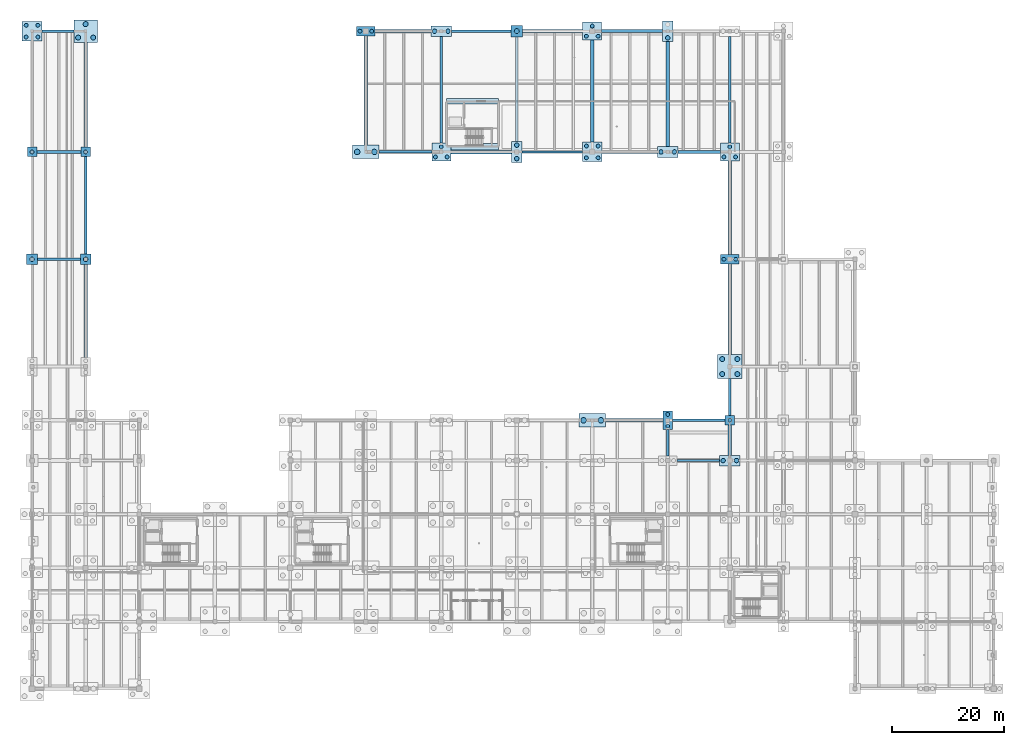
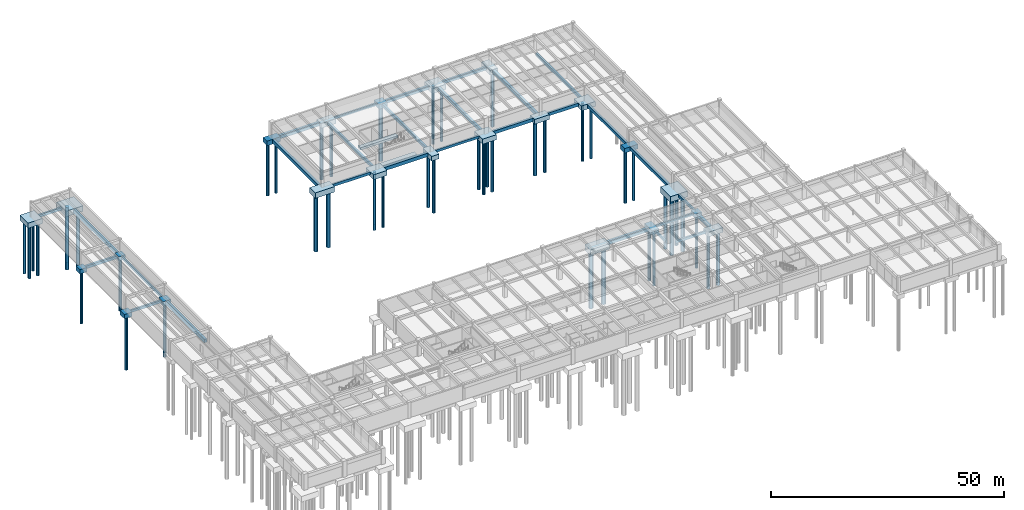
# One storey, part 4 of 41: 54 footings, 49 piles.
"""IFC4 building model written with IfcOpenShell, lengths in metres."""

import ifcopenshell
import ifcopenshell.guid

model = None  # the IFC model being written
_history = None  # IfcOwnerHistory: only IFC2X3 demands one
_inside = {}  # id of a spatial element -> (the spatial element, [elements in it])
_under = {}  # id of a project, library or spatial element -> (it, [spatial elements below it])
_declared = {}  # id of a project -> (the project, [libraries it declares])
_typed = {}  # id of a type object -> (the type object, [elements of that type])
_made_of = {}  # id of a material, layer set ... -> (it, [elements and type objects made of it])


def new_model(schema):
    """Start an empty IFC model of exactly this schema.

    Asked for "IFC4X3", IfcOpenShell would pick the latest addendum, in which some entities
    have other attributes; the version numbers below select the first issue.
    IFC2X3 requires an IfcOwnerHistory on every rooted entity: one is made here for all.
    """
    global model, _history
    if schema == "IFC4X3":
        model = ifcopenshell.file(schema_version=(4, 3, 0, 0))
    else:
        model = ifcopenshell.file(schema=schema)
    _inside.clear()
    _under.clear()
    _declared.clear()
    _typed.clear()
    _made_of.clear()
    _history = None
    if model.schema == "IFC2X3":
        org = make("IfcOrganization", Name="unknown")
        user = make(
            "IfcPersonAndOrganization",
            ThePerson=make("IfcPerson", FamilyName="unknown"),
            TheOrganization=org,
        )
        app = make(
            "IfcApplication",
            ApplicationDeveloper=org,
            Version="unknown",
            ApplicationFullName="unknown",
            ApplicationIdentifier="unknown",
        )
        _history = make(
            "IfcOwnerHistory",
            OwningUser=user,
            OwningApplication=app,
            ChangeAction="ADDED",
            CreationDate=0,
        )
    return model


def make(cls, **values):
    """One entity of the class cls with the attributes given. An attribute that is None is left unset."""
    return model.create_entity(
        cls, **{name: value for name, value in values.items() if value is not None}
    )


def rooted(cls, **values):
    """An entity with a GlobalId (a new one), such as an element, a storey or a relation."""
    return make(cls, GlobalId=ifcopenshell.guid.new(), OwnerHistory=_history, **values)


def si_unit(unit_type, name, prefix=None):
    """IfcSIUnit, for example si_unit("LENGTHUNIT", "METRE", prefix="MILLI")."""
    return make("IfcSIUnit", UnitType=unit_type, Prefix=prefix, Name=name)


def assignment(units):
    """IfcUnitAssignment: the units of a project."""
    return None if units is None else make("IfcUnitAssignment", Units=units)


def point(xyz):
    """IfcCartesianPoint."""
    return None if xyz is None else make("IfcCartesianPoint", Coordinates=xyz)


def direction(xyz):
    """IfcDirection."""
    return None if xyz is None else make("IfcDirection", DirectionRatios=xyz)


def frame(location, z_axis=None, x_axis=None):
    """IfcAxis2Placement3D, a coordinate frame: its origin and axes. An axis left out is left unset."""
    return make(
        "IfcAxis2Placement3D",
        Location=point(location),
        Axis=direction(z_axis),
        RefDirection=direction(x_axis),
    )


def frame_2d(location, x_axis=None):
    """IfcAxis2Placement2D, a coordinate frame in the plane: its origin and x axis."""
    return make(
        "IfcAxis2Placement2D", Location=point(location), RefDirection=direction(x_axis)
    )


def origin():
    """The frame at (0, 0, 0) with its axes left unset."""
    return frame((0.0, 0.0, 0.0))


def origin_2d():
    """The frame at (0, 0) in the plane with its x axis left unset."""
    return frame_2d((0.0, 0.0))


def place(relative_to, where):
    """IfcLocalPlacement: puts the frame where relative to a parent placement (None: the world)."""
    return make(
        "IfcLocalPlacement", PlacementRelTo=relative_to, RelativePlacement=where
    )


def context(
    kind, dimensions, precision=None, world=None, true_north=None, identifier=None
):
    """IfcGeometricRepresentationContext, for example the 3D "Model" context."""
    return make(
        "IfcGeometricRepresentationContext",
        ContextIdentifier=identifier,
        ContextType=kind,
        CoordinateSpaceDimension=dimensions,
        Precision=precision,
        WorldCoordinateSystem=world,
        TrueNorth=true_north,
    )


def subcontext(parent, identifier, kind, view, scale=None):
    """IfcGeometricRepresentationSubContext, for example "Body" below "Model"."""
    return make(
        "IfcGeometricRepresentationSubContext",
        ContextIdentifier=identifier,
        ContextType=kind,
        ParentContext=parent,
        TargetScale=scale,
        TargetView=view,
    )


def project(units=None, contexts=None):
    """IfcProject with its units and contexts."""
    return rooted(
        "IfcProject",
        Name="project",
        RepresentationContexts=contexts,
        UnitsInContext=assignment(units),
    )


def spatial(cls, under=None, at=None, **own):
    """A site, building, storey or space (cls), placed at a placement, below another one or the project."""
    s = rooted(cls, ObjectPlacement=at, **own)
    if under is not None:
        _under.setdefault(under.id(), (under, []))[1].append(s)
    return s


def profile(cls, at=None, kind="AREA", **sizes):
    """A parametric profile (cls). Its sizes go by their IFC names, for example OverallWidth=200.0."""
    return make(cls, ProfileType=kind, Position=at, **sizes)


def rectangle(**sizes):
    """IfcRectangleProfileDef."""
    return profile("IfcRectangleProfileDef", **sizes)


def circle(**sizes):
    """IfcCircleProfileDef."""
    return profile("IfcCircleProfileDef", **sizes)


def extrude(swept, where, along, depth):
    """IfcExtrudedAreaSolid: the profile swept, set in the frame where, extruded along a direction by depth."""
    return make(
        "IfcExtrudedAreaSolid",
        SweptArea=swept,
        Position=where,
        ExtrudedDirection=direction(along),
        Depth=depth,
    )


def shape(context_of_items, identifier, shape_type, items):
    """IfcShapeRepresentation: the items that make up one representation, for example the "Body"."""
    return make(
        "IfcShapeRepresentation",
        ContextOfItems=context_of_items,
        RepresentationIdentifier=identifier,
        RepresentationType=shape_type,
        Items=items,
    )


def material(Name=None, Category=None):
    """IfcMaterial."""
    return make("IfcMaterial", Name=Name, Category=Category)


def material_profile(
    of_material, cross_section, Name=None, Category=None, Priority=None
):
    """IfcMaterialProfile: a cross section and its material."""
    return make(
        "IfcMaterialProfile",
        Name=Name,
        Material=of_material,
        Profile=cross_section,
        Priority=Priority,
        Category=Category,
    )


def profile_set(profiles, Name=None, composite=None):
    """IfcMaterialProfileSet."""
    return make(
        "IfcMaterialProfileSet",
        Name=Name,
        MaterialProfiles=profiles,
        CompositeProfile=composite,
    )


def made_of(thing, what):
    """Note that an element or type object is made of a material, layer set ...; save() writes the relation."""
    if what is not None:
        _made_of.setdefault(what.id(), (what, []))[1].append(thing)
    return thing


def type_object(cls, material=None, **own):
    """A type object (cls), such as IfcWallType, which elements share."""
    return made_of(rooted(cls, **own), material)


def element(
    cls,
    number,
    at=None,
    inside=None,
    cuts=None,
    type_object=None,
    material=None,
    context=None,
    identifier="Body",
    shape_type=None,
    held_by="IfcProductDefinitionShape",
    body=None,
    shapes=None,
    **own,
):
    """One element of the class cls, such as IfcWall. Its Tag is "e" and its number.

    at: its placement. inside: the storey or other place that contains it. cuts: it is an
    opening in that element (IfcRelVoidsElement). A single representation is given by context,
    identifier, shape_type and body (its items); several are given by shapes. held_by: the class
    of the entity that holds the representations. save() writes the other relations.
    """
    e = rooted(cls, Tag="e%d" % number, ObjectPlacement=at, **own)
    if body is not None:
        shapes = [shape(context, identifier, shape_type, body)]
    if shapes is not None:
        e.Representation = make(held_by, Representations=shapes)
    if inside is not None:
        _inside.setdefault(inside.id(), (inside, []))[1].append(e)
    if cuts is not None:
        rooted(
            "IfcRelVoidsElement", RelatingBuildingElement=cuts, RelatedOpeningElement=e
        )
    if type_object is not None:
        _typed.setdefault(type_object.id(), (type_object, []))[1].append(e)
    return made_of(e, material)


def aggregate(whole, parts):
    """IfcRelAggregates: a whole, such as a stair, and the parts it consists of."""
    return rooted("IfcRelAggregates", RelatingObject=whole, RelatedObjects=parts)


def save(model, path):
    """Write the relations noted so far, then the file.

    IfcRelAggregates (storeys below a building ...), IfcRelContainedInSpatialStructure (elements
    in a storey), IfcRelDefinesByType, IfcRelAssociatesMaterial and IfcRelDeclares: one each for
    every whole, place, type object, material and project.
    """
    for whole, parts in _under.values():
        aggregate(whole, parts)
    for where, things in _inside.values():
        rooted(
            "IfcRelContainedInSpatialStructure",
            RelatedElements=things,
            RelatingStructure=where,
        )
    for kind, things in _typed.values():
        rooted("IfcRelDefinesByType", RelatedObjects=things, RelatingType=kind)
    for what, things in _made_of.values():
        rooted("IfcRelAssociatesMaterial", RelatedObjects=things, RelatingMaterial=what)
    for by, libraries in _declared.values():
        rooted("IfcRelDeclares", RelatingContext=by, RelatedDefinitions=libraries)
    model.write(path)


model = new_model("IFC4")

# Units and contexts
model_context = context("Model", 3, precision=1e-05, world=origin(), true_north=direction((0.0, 1.0)))
body_context = subcontext(model_context, "Body", "Model", "MODEL_VIEW")
ifc_project = project(units=[si_unit("LENGTHUNIT", "METRE"), si_unit("AREAUNIT", "SQUARE_METRE"), si_unit("VOLUMEUNIT", "CUBIC_METRE"), si_unit("PLANEANGLEUNIT", "RADIAN"), si_unit("MASSUNIT", "GRAM", prefix="KILO")], contexts=[model_context])

# Site, building, storey
site_placement = place(None, origin())
site = spatial("IfcSite", under=ifc_project, at=site_placement, CompositionType="ELEMENT")
building_placement = place(site_placement, origin())
building = spatial("IfcBuilding", under=site, at=building_placement, Name="Fikremerkos Civic Library", CompositionType="ELEMENT")
storey_placement = place(building_placement, frame((0.0, 0.0, -8.39990234375)))
storey = spatial("IfcBuildingStorey", under=building, at=storey_placement, Name="B02", CompositionType="ELEMENT", Elevation=-8.39990234375)

# Piles
ifc_material_1 = material(Name="Concrete C35/45", Category="concrete")
ifc_material_profile_1 = material_profile(ifc_material_1, circle(Radius=0.5, at=origin_2d()), Name="BORED PILE 1000")
ifc_profile_set_1 = profile_set([ifc_material_profile_1], Name="Concrete C35/45")
pile_type_1 = type_object("IfcPileType", Name="Bored concrete pile PL-1000 D1000", PredefinedType="BORED", material=ifc_profile_set_1)
for number, where, z_axis, x_axis, name in (
    (1, (58.14990234375, 96.0, -1.35009765625), (0.0, 0.0, -1.0), (1.0, 0.0, 0.0), "Bored pile PL-1000 under CAP-6-M #1"),
    (2, (61.25, 96.0, -1.35009765625), (0.0, 0.0, -1.0), (1.0, 0.0, 0.0), "Bored pile PL-1000 under CAP-6-M #2"),
    (3, (98.64990234375, 48.0, -1.35009765625), (0.0, 0.0, -1.0), (1.0, 0.0, 0.0), "Bored pile PL-1000 under CAP-9-J #1"),
    (4, (101.75, 48.0, -1.35009765625), (0.0, 0.0, -1.0), (1.0, 0.0, 0.0), "Bored pile PL-1000 under CAP-9-J #2"),
):
    element("IfcPile", number, at=place(storey_placement, frame(where, z_axis=z_axis, x_axis=x_axis)), inside=storey, type_object=pile_type_1, Name=name, PredefinedType="BORED", context=body_context, shape_type="SweptSolid", body=[
        extrude(circle(Radius=0.5, at=origin_2d()), origin(), (0.0, 0.0, 1.0), 14.800048828125),
    ])
ifc_material_profile_2 = material_profile(ifc_material_1, circle(Radius=0.35009765625, at=origin_2d()), Name="BORED PILE 700")
ifc_profile_set_2 = profile_set([ifc_material_profile_2], Name="Concrete C35/45")
pile_type_2 = type_object("IfcPileType", Name="Bored concrete pile PL-700 D700", PredefinedType="BORED", material=ifc_profile_set_2)
for number, where, z_axis, x_axis, name in (
    (5, (0.0, 96.0, -1.0), (0.0, 0.0, -1.0), (1.0, 0.0, 0.0), "Bored pile PL-700 under CAP-1-M #1"),
    (6, (-1.050048828125, 116.550048828125, -1.25), (0.0, 0.0, -1.0), (1.0, 0.0, 0.0), "Bored pile PL-700 under CAP-1-N #1"),
    (7, (1.050048828125, 116.550048828125, -1.25), (0.0, 0.0, -1.0), (1.0, 0.0, 0.0), "Bored pile PL-700 under CAP-1-N #2"),
    (8, (-1.050048828125, 118.64990234375, -1.25), (0.0, 0.0, -1.0), (1.0, 0.0, 0.0), "Bored pile PL-700 under CAP-1-N #3"),
    (9, (1.050048828125, 118.64990234375, -1.25), (0.0, 0.0, -1.0), (1.0, 0.0, 0.0), "Bored pile PL-700 under CAP-1-N #4"),
    (10, (9.60009765625, 96.0, -1.0), (0.0, 0.0, -1.0), (1.0, 0.0, 0.0), "Bored pile PL-700 under CAP-2-M #1"),
    (11, (58.64990234375, 117.60009765625, -1.10009765625), (0.0, 0.0, -1.0), (1.0, 0.0, 0.0), "Bored pile PL-700 under CAP-6-N #1"),
    (12, (60.75, 117.60009765625, -1.10009765625), (0.0, 0.0, -1.0), (1.0, 0.0, 0.0), "Bored pile PL-700 under CAP-6-N #2"),
    (13, (72.14990234375, 95.10009765625, -1.2001953125), (0.0, 0.0, -1.0), (1.0, 0.0, 0.0), "Bored pile PL-700 under CAP-7-M #1"),
    (14, (74.25, 95.10009765625, -1.2001953125), (0.0, 0.0, -1.0), (1.0, 0.0, 0.0), "Bored pile PL-700 under CAP-7-M #2"),
    (15, (73.199951171875, 96.919921875, -1.2001953125), (0.0, 0.0, -1.0), (1.0, 0.0, 0.0), "Bored pile PL-700 under CAP-7-M #3"),
    (16, (99.14990234375, 94.949951171875, -1.25), (0.0, 0.0, -1.0), (1.0, 0.0, 0.0), "Bored pile PL-700 under CAP-9-M #1"),
    (17, (101.25, 94.949951171875, -1.25), (0.0, 0.0, -1.0), (1.0, 0.0, 0.0), "Bored pile PL-700 under CAP-9-M #2"),
    (18, (99.14990234375, 97.050048828125, -1.25), (0.0, 0.0, -1.0), (1.0, 0.0, 0.0), "Bored pile PL-700 under CAP-9-M #3"),
    (19, (101.25, 97.050048828125, -1.25), (0.0, 0.0, -1.0), (1.0, 0.0, 0.0), "Bored pile PL-700 under CAP-9-M #4"),
    (20, (99.14990234375, 116.699951171875, -1.2001953125), (0.0, 0.0, -1.0), (1.0, 0.0, 0.0), "Bored pile PL-700 under CAP-9-N #1"),
    (21, (101.25, 116.699951171875, -1.2001953125), (0.0, 0.0, -1.0), (1.0, 0.0, 0.0), "Bored pile PL-700 under CAP-9-N #2"),
    (22, (100.199951171875, 118.52001953125, -1.2001953125), (0.0, 0.0, -1.0), (1.0, 0.0, 0.0), "Bored pile PL-700 under CAP-9-N #3"),
    (23, (113.699951171875, 46.949951171875, -1.10009765625), (0.0, 0.0, -1.0), (1.0, 0.0, 0.0), "Bored pile PL-700 under CAP-10-J #1"),
    (24, (113.699951171875, 49.050048828125, -1.10009765625), (0.0, 0.0, -1.0), (1.0, 0.0, 0.0), "Bored pile PL-700 under CAP-10-J #2"),
    (25, (124.800048828125, 48.0, -1.0), (0.0, 0.0, -1.0), (1.0, 0.0, 0.0), "Bored pile PL-700 under CAP-11-J #1"),
    (26, (123.75, 76.800048828125, -1.10009765625), (0.0, 0.0, -1.0), (1.0, 0.0, 0.0), "Bored pile PL-700 under CAP-11-L #1"),
    (27, (125.85009765625, 76.800048828125, -1.10009765625), (0.0, 0.0, -1.0), (1.0, 0.0, 0.0), "Bored pile PL-700 under CAP-11-L #2"),
    (28, (123.75, 95.10009765625, -1.2001953125), (0.0, 0.0, -1.0), (1.0, 0.0, 0.0), "Bored pile PL-700 under CAP-11-M #1"),
    (29, (125.85009765625, 95.10009765625, -1.2001953125), (0.0, 0.0, -1.0), (1.0, 0.0, 0.0), "Bored pile PL-700 under CAP-11-M #2"),
    (30, (124.800048828125, 96.919921875, -1.2001953125), (0.0, 0.0, -1.0), (1.0, 0.0, 0.0), "Bored pile PL-700 under CAP-11-M #3"),
):
    element("IfcPile", number, at=place(storey_placement, frame(where, z_axis=z_axis, x_axis=x_axis)), inside=storey, type_object=pile_type_2, Name=name, PredefinedType="BORED", context=body_context, shape_type="SweptSolid", body=[
        extrude(circle(Radius=0.35009765625, at=origin_2d()), origin(), (0.0, 0.0, 1.0), 13.800048828125),
    ])
ifc_material_profile_3 = material_profile(ifc_material_1, circle(Radius=0.39990234375, at=origin_2d()), Name="BORED PILE 800")
ifc_profile_set_3 = profile_set([ifc_material_profile_3], Name="Concrete C35/45")
pile_type_3 = type_object("IfcPileType", Name="Bored concrete pile PL-800 D800", PredefinedType="BORED", material=ifc_profile_set_3)
for number, where, z_axis, x_axis, name in (
    (31, (0.0, 76.800048828125, -1.050048828125), (0.0, 0.0, -1.0), (1.0, 0.0, 0.0), "Bored pile PL-800 under CAP-1-L #1"),
    (32, (9.60009765625, 76.800048828125, -1.050048828125), (0.0, 0.0, -1.0), (1.0, 0.0, 0.0), "Bored pile PL-800 under CAP-2-L #1"),
    (33, (72.0, 117.60009765625, -1.150146484375), (0.0, 0.0, -1.0), (1.0, 0.0, 0.0), "Bored pile PL-800 under CAP-7-N #1"),
    (34, (74.39990234375, 117.60009765625, -1.150146484375), (0.0, 0.0, -1.0), (1.0, 0.0, 0.0), "Bored pile PL-800 under CAP-7-N #2"),
    (35, (86.699951171875, 94.800048828125, -1.150146484375), (0.0, 0.0, -1.0), (1.0, 0.0, 0.0), "Bored pile PL-800 under CAP-8-M #1"),
    (36, (86.699951171875, 97.199951171875, -1.150146484375), (0.0, 0.0, -1.0), (1.0, 0.0, 0.0), "Bored pile PL-800 under CAP-8-M #2"),
    (37, (112.5, 96.0, -1.150146484375), (0.0, 0.0, -1.0), (1.0, 0.0, 0.0), "Bored pile PL-800 under CAP-10-M #1"),
    (38, (114.89990234375, 96.0, -1.150146484375), (0.0, 0.0, -1.0), (1.0, 0.0, 0.0), "Bored pile PL-800 under CAP-10-M #2"),
    (39, (113.699951171875, 116.39990234375, -1.150146484375), (0.0, 0.0, -1.0), (1.0, 0.0, 0.0), "Bored pile PL-800 under CAP-10-N #1"),
    (40, (123.60009765625, 40.800048828125, -1.150146484375), (0.0, 0.0, -1.0), (1.0, 0.0, 0.0), "Bored pile PL-800 under CAP-11-H #1"),
    (41, (126.0, 40.800048828125, -1.150146484375), (0.0, 0.0, -1.0), (1.0, 0.0, 0.0), "Bored pile PL-800 under CAP-11-H #2"),
):
    element("IfcPile", number, at=place(storey_placement, frame(where, z_axis=z_axis, x_axis=x_axis)), inside=storey, type_object=pile_type_3, Name=name, PredefinedType="BORED", context=body_context, shape_type="SweptSolid", body=[
        extrude(circle(Radius=0.39990234375, at=origin_2d()), origin(), (0.0, 0.0, 1.0), 14.199951171875),
    ])
ifc_material_profile_4 = material_profile(ifc_material_1, circle(Radius=0.449951171875, at=origin_2d()), Name="BORED PILE 900")
ifc_profile_set_4 = profile_set([ifc_material_profile_4], Name="Concrete C35/45")
pile_type_4 = type_object("IfcPileType", Name="Bored concrete pile PL-900 D900", PredefinedType="BORED", material=ifc_profile_set_4)
for number, where, z_axis, x_axis, name in (
    (42, (8.25, 116.449951171875, -1.35009765625), (0.0, 0.0, -1.0), (1.0, 0.0, 0.0), "Bored pile PL-900 under CAP-2-N #1"),
    (43, (10.949951171875, 116.449951171875, -1.35009765625), (0.0, 0.0, -1.0), (1.0, 0.0, 0.0), "Bored pile PL-900 under CAP-2-N #2"),
    (44, (9.60009765625, 118.85009765625, -1.35009765625), (0.0, 0.0, -1.0), (1.0, 0.0, 0.0), "Bored pile PL-900 under CAP-2-N #3"),
    (45, (86.699951171875, 117.60009765625, -1.10009765625), (0.0, 0.0, -1.0), (1.0, 0.0, 0.0), "Bored pile PL-900 under CAP-8-N #1"),
    (46, (123.449951171875, 56.25, -1.400146484375), (0.0, 0.0, -1.0), (1.0, 0.0, 0.0), "Bored pile PL-900 under CAP-11-K #1"),
    (47, (126.14990234375, 56.25, -1.400146484375), (0.0, 0.0, -1.0), (1.0, 0.0, 0.0), "Bored pile PL-900 under CAP-11-K #2"),
    (48, (123.449951171875, 58.949951171875, -1.400146484375), (0.0, 0.0, -1.0), (1.0, 0.0, 0.0), "Bored pile PL-900 under CAP-11-K #3"),
    (49, (126.14990234375, 58.949951171875, -1.400146484375), (0.0, 0.0, -1.0), (1.0, 0.0, 0.0), "Bored pile PL-900 under CAP-11-K #4"),
):
    element("IfcPile", number, at=place(storey_placement, frame(where, z_axis=z_axis, x_axis=x_axis)), inside=storey, type_object=pile_type_4, Name=name, PredefinedType="BORED", context=body_context, shape_type="SweptSolid", body=[
        extrude(circle(Radius=0.449951171875, at=origin_2d()), origin(), (0.0, 0.0, 1.0), 14.5),
    ])

# Footings
ifc_material_2 = material(Name="Concrete C40/50", Category="concrete")
footing_type_1 = type_object("IfcFootingType", Name="Bored pile cap PC-01 1700x1700x1100", PredefinedType="PILE_CAP", material=ifc_material_2)
for number, where, z_axis, x_axis, name in (
    (50, (0.0, 96.0, -1.10009765625), (0.0, 0.0, 1.0), (1.0, 0.0, 0.0), "Pile cap PC-01 at 1/M"),
    (51, (9.60009765625, 96.0, -1.10009765625), (0.0, 0.0, 1.0), (1.0, 0.0, 0.0), "Pile cap PC-01 at 2/M"),
    (52, (124.800048828125, 48.0, -1.10009765625), (0.0, 0.0, 1.0), (1.0, 0.0, 0.0), "Pile cap PC-01 at 11/J"),
):
    element("IfcFooting", number, at=place(storey_placement, frame(where, z_axis=z_axis, x_axis=x_axis)), inside=storey, type_object=footing_type_1, Name=name, PredefinedType="PILE_CAP", context=body_context, shape_type="SweptSolid", body=[
        extrude(rectangle(XDim=1.699951171875, YDim=1.699951171875, at=origin_2d()), origin(), (0.0, 0.0, 1.0), 1.10009765625),
    ])
footing_type_2 = type_object("IfcFootingType", Name="Bored pile cap PC-02 1900x1900x1150", PredefinedType="PILE_CAP", material=ifc_material_2)
for number, where, z_axis, x_axis, name in (
    (53, (0.0, 76.800048828125, -1.150146484375), (0.0, 0.0, 1.0), (1.0, 0.0, 0.0), "Pile cap PC-02 at 1/L"),
    (54, (9.60009765625, 76.800048828125, -1.150146484375), (0.0, 0.0, 1.0), (1.0, 0.0, 0.0), "Pile cap PC-02 at 2/L"),
):
    element("IfcFooting", number, at=place(storey_placement, frame(where, z_axis=z_axis, x_axis=x_axis)), inside=storey, type_object=footing_type_2, Name=name, PredefinedType="PILE_CAP", context=body_context, shape_type="SweptSolid", body=[
        extrude(rectangle(XDim=1.89990234375, YDim=1.89990234375, at=origin_2d()), origin(), (0.0, 0.0, 1.0), 1.14990234375),
    ])
footing_type_3 = type_object("IfcFootingType", Name="Bored pile cap PC-03 3300x1700x1200", PredefinedType="PILE_CAP", material=ifc_material_2)
for number, where, z_axis, x_axis, name in (
    (55, (59.699951171875, 117.60009765625, -1.2001953125), (0.0, 0.0, 1.0), (1.0, 0.0, 0.0), "Pile cap PC-03 at 6/N"),
    (56, (124.800048828125, 76.800048828125, -1.2001953125), (0.0, 0.0, 1.0), (1.0, 0.0, 0.0), "Pile cap PC-03 at 11/L"),
):
    element("IfcFooting", number, at=place(storey_placement, frame(where, z_axis=z_axis, x_axis=x_axis)), inside=storey, type_object=footing_type_3, Name=name, PredefinedType="PILE_CAP", context=body_context, shape_type="SweptSolid", body=[
        extrude(rectangle(XDim=3.300048828125, YDim=1.699951171875, at=origin_2d()), origin(), (0.0, 0.0, 1.0), 1.199951171875),
    ])
footing_type_4 = type_object("IfcFootingType", Name="Bored pile cap PC-04 1700x3300x1200", PredefinedType="PILE_CAP", material=ifc_material_2)
footing_1_placement = place(storey_placement, frame((113.699951171875, 48.0, -1.2001953125), z_axis=(0.0, 0.0, 1.0), x_axis=(1.0, 0.0, 0.0)))
element("IfcFooting", 57, at=footing_1_placement, inside=storey, type_object=footing_type_4, Name="Pile cap PC-04 at 10/J", PredefinedType="PILE_CAP", context=body_context, shape_type="SweptSolid", body=[
    extrude(rectangle(XDim=1.699951171875, YDim=3.300048828125, at=origin_2d()), origin(), (0.0, 0.0, 1.0), 1.199951171875),
])
footing_type_5 = type_object("IfcFootingType", Name="Bored pile cap PC-05 3700x1900x1250", PredefinedType="PILE_CAP", material=ifc_material_2)
for number, where, z_axis, x_axis, name in (
    (58, (73.199951171875, 117.60009765625, -1.25), (0.0, 0.0, 1.0), (1.0, 0.0, 0.0), "Pile cap PC-05 at 7/N"),
    (59, (113.699951171875, 96.0, -1.25), (0.0, 0.0, 1.0), (1.0, 0.0, 0.0), "Pile cap PC-05 at 10/M"),
    (60, (124.800048828125, 40.800048828125, -1.25), (0.0, 0.0, 1.0), (1.0, 0.0, 0.0), "Pile cap PC-05 at 11/H"),
):
    element("IfcFooting", number, at=place(storey_placement, frame(where, z_axis=z_axis, x_axis=x_axis)), inside=storey, type_object=footing_type_5, Name=name, PredefinedType="PILE_CAP", context=body_context, shape_type="SweptSolid", body=[
        extrude(rectangle(XDim=3.699951171875, YDim=1.89990234375, at=origin_2d()), origin(), (0.0, 0.0, 1.0), 1.25),
    ])
footing_type_6 = type_object("IfcFootingType", Name="Bored pile cap PC-06 1900x3700x1250", PredefinedType="PILE_CAP", material=ifc_material_2)
for number, where, z_axis, x_axis, name in (
    (61, (86.699951171875, 96.0, -1.25), (0.0, 0.0, 1.0), (1.0, 0.0, 0.0), "Pile cap PC-06 at 8/M"),
    (62, (113.699951171875, 117.60009765625, -1.25), (0.0, 0.0, 1.0), (1.0, 0.0, 0.0), "Pile cap PC-06 at 10/N"),
):
    element("IfcFooting", number, at=place(storey_placement, frame(where, z_axis=z_axis, x_axis=x_axis)), inside=storey, type_object=footing_type_6, Name=name, PredefinedType="PILE_CAP", context=body_context, shape_type="SweptSolid", body=[
        extrude(rectangle(XDim=1.89990234375, YDim=3.699951171875, at=origin_2d()), origin(), (0.0, 0.0, 1.0), 1.25),
    ])
footing_type_7 = type_object("IfcFootingType", Name="Bored pile cap PC-08 3400x3200x1300", PredefinedType="PILE_CAP", material=ifc_material_2)
for number, where, z_axis, x_axis, name in (
    (63, (73.199951171875, 96.0, -1.30029296875), (0.0, 0.0, 1.0), (1.0, 0.0, 0.0), "Pile cap PC-08 at 7/M"),
    (64, (100.199951171875, 117.60009765625, -1.30029296875), (0.0, 0.0, 1.0), (1.0, 0.0, 0.0), "Pile cap PC-08 at 9/N"),
    (65, (124.800048828125, 96.0, -1.30029296875), (0.0, 0.0, 1.0), (1.0, 0.0, 0.0), "Pile cap PC-08 at 11/M"),
):
    element("IfcFooting", number, at=place(storey_placement, frame(where, z_axis=z_axis, x_axis=x_axis)), inside=storey, type_object=footing_type_7, Name=name, PredefinedType="PILE_CAP", context=body_context, shape_type="SweptSolid", body=[
        extrude(rectangle(XDim=3.39990234375, YDim=3.199951171875, at=origin_2d()), origin(), (0.0, 0.0, 1.0), 1.300048828125),
    ])
footing_type_8 = type_object("IfcFootingType", Name="Bored pile cap PC-10 3500x3500x1350", PredefinedType="PILE_CAP", material=ifc_material_2)
for number, where, z_axis, x_axis, name in (
    (66, (0.0, 117.60009765625, -1.35009765625), (0.0, 0.0, 1.0), (1.0, 0.0, 0.0), "Pile cap PC-10 at 1/N"),
    (67, (100.199951171875, 96.0, -1.35009765625), (0.0, 0.0, 1.0), (1.0, 0.0, 0.0), "Pile cap PC-10 at 9/M"),
):
    element("IfcFooting", number, at=place(storey_placement, frame(where, z_axis=z_axis, x_axis=x_axis)), inside=storey, type_object=footing_type_8, Name=name, PredefinedType="PILE_CAP", context=body_context, shape_type="SweptSolid", body=[
        extrude(rectangle(XDim=3.5, YDim=3.5, at=origin_2d()), origin(), (0.0, 0.0, 1.0), 1.35009765625),
    ])
footing_type_9 = type_object("IfcFootingType", Name="Bored pile cap PC-12 4300x4300x1500", PredefinedType="PILE_CAP", material=ifc_material_2)
footing_2_placement = place(storey_placement, frame((124.800048828125, 57.60009765625, -1.5), z_axis=(0.0, 0.0, 1.0), x_axis=(1.0, 0.0, 0.0)))
element("IfcFooting", 68, at=footing_2_placement, inside=storey, type_object=footing_type_9, Name="Pile cap PC-12 at 11/K", PredefinedType="PILE_CAP", context=body_context, shape_type="SweptSolid", body=[
    extrude(rectangle(XDim=4.300048828125, YDim=4.300048828125, at=origin_2d()), origin(), (0.0, 0.0, 1.0), 1.5),
])
footing_type_10 = type_object("IfcFootingType", Name="Bored pile cap PC-17 2100x2100x1200", PredefinedType="PILE_CAP", material=ifc_material_2)
footing_3_placement = place(storey_placement, frame((86.699951171875, 117.60009765625, -1.2001953125), z_axis=(0.0, 0.0, 1.0), x_axis=(1.0, 0.0, 0.0)))
element("IfcFooting", 69, at=footing_3_placement, inside=storey, type_object=footing_type_10, Name="Pile cap PC-17 at 8/N", PredefinedType="PILE_CAP", context=body_context, shape_type="SweptSolid", body=[
    extrude(rectangle(XDim=2.10009765625, YDim=2.10009765625, at=origin_2d()), origin(), (0.0, 0.0, 1.0), 1.199951171875),
])
footing_type_11 = type_object("IfcFootingType", Name="Bored pile cap PC-19 4800x2400x1450", PredefinedType="PILE_CAP", material=ifc_material_2)
for number, where, z_axis, x_axis, name in (
    (70, (59.699951171875, 96.0, -1.4501953125), (0.0, 0.0, 1.0), (1.0, 0.0, 0.0), "Pile cap PC-19 at 6/M"),
    (71, (100.199951171875, 48.0, -1.4501953125), (0.0, 0.0, 1.0), (1.0, 0.0, 0.0), "Pile cap PC-19 at 9/J"),
):
    element("IfcFooting", number, at=place(storey_placement, frame(where, z_axis=z_axis, x_axis=x_axis)), inside=storey, type_object=footing_type_11, Name=name, PredefinedType="PILE_CAP", context=body_context, shape_type="SweptSolid", body=[
        extrude(rectangle(XDim=4.800048828125, YDim=2.39990234375, at=origin_2d()), origin(), (0.0, 0.0, 1.0), 1.449951171875),
    ])
footing_type_12 = type_object("IfcFootingType", Name="Bored pile cap PC-20 4200x4000x1450", PredefinedType="PILE_CAP", material=ifc_material_2)
footing_4_placement = place(storey_placement, frame((9.60009765625, 117.60009765625, -1.4501953125), z_axis=(0.0, 0.0, 1.0), x_axis=(1.0, 0.0, 0.0)))
element("IfcFooting", 72, at=footing_4_placement, inside=storey, type_object=footing_type_12, Name="Pile cap PC-20 at 2/N", PredefinedType="PILE_CAP", context=body_context, shape_type="SweptSolid", body=[
    extrude(rectangle(XDim=4.199951171875, YDim=4.0, at=origin_2d()), origin(), (0.0, 0.0, 1.0), 1.449951171875),
])
footing_type_13 = type_object("IfcFootingType", Name="Foundation tie beam FTB-01 600x850", PredefinedType="FOOTING_BEAM", material=ifc_material_2)
footing_5_placement = place(storey_placement, frame((106.89990234375, 96.0, -0.900146484375), z_axis=(0.0, 0.0, 1.0), x_axis=(1.0, 0.0, 0.0)))
element("IfcFooting", 73, at=footing_5_placement, inside=storey, type_object=footing_type_13, Name="Foundation tie beam FTB-01 on grid M", PredefinedType="FOOTING_BEAM", context=body_context, shape_type="SweptSolid", body=[
    extrude(rectangle(XDim=9.89990234375, YDim=0.60009765625, at=origin_2d()), origin(), (0.0, 0.0, 1.0), 0.85009765625),
])
footing_6_placement = place(storey_placement, frame((93.125, 117.60009765625, -0.900146484375), z_axis=(0.0, 0.0, 1.0), x_axis=(1.0, 0.0, 0.0)))
element("IfcFooting", 74, at=footing_6_placement, inside=storey, type_object=footing_type_13, Name="Foundation tie beam FTB-01 on grid N", PredefinedType="FOOTING_BEAM", context=body_context, shape_type="SweptSolid", body=[
    extrude(rectangle(XDim=10.75, YDim=0.60009765625, at=origin_2d()), origin(), (0.0, 0.0, 1.0), 0.85009765625),
])
footing_7_placement = place(storey_placement, frame((9.60009765625, 106.22509765625, -0.900146484375), z_axis=(0.0, 0.0, 1.0), x_axis=(0.0, 1.0, 0.0)))
element("IfcFooting", 75, at=footing_7_placement, inside=storey, type_object=footing_type_13, Name="Foundation tie beam FTB-01 on grid 2", PredefinedType="FOOTING_BEAM", context=body_context, shape_type="SweptSolid", body=[
    extrude(rectangle(XDim=18.75, YDim=0.60009765625, at=origin_2d()), origin(), (0.0, 0.0, 1.0), 0.85009765625),
])
footing_8_placement = place(storey_placement, frame((113.699951171875, 106.35009765625, -0.900146484375), z_axis=(0.0, 0.0, 1.0), x_axis=(0.0, 1.0, 0.0)))
element("IfcFooting", 76, at=footing_8_placement, inside=storey, type_object=footing_type_13, Name="Foundation tie beam FTB-01 on grid 10", PredefinedType="FOOTING_BEAM", context=body_context, shape_type="SweptSolid", body=[
    extrude(rectangle(XDim=18.800048828125, YDim=0.60009765625, at=origin_2d()), origin(), (0.0, 0.0, 1.0), 0.85009765625),
])
footing_9_placement = place(storey_placement, frame((124.800048828125, 67.85009765625, -0.900146484375), z_axis=(0.0, 0.0, 1.0), x_axis=(0.0, 1.0, 0.0)))
element("IfcFooting", 77, at=footing_9_placement, inside=storey, type_object=footing_type_13, Name="Foundation tie beam FTB-01 on grid 11", PredefinedType="FOOTING_BEAM", context=body_context, shape_type="SweptSolid", body=[
    extrude(rectangle(XDim=16.199951171875, YDim=0.60009765625, at=origin_2d()), origin(), (0.0, 0.0, 1.0), 0.85009765625),
])
footing_type_14 = type_object("IfcFootingType", Name="Foundation tie beam FTB-02 550x800", PredefinedType="FOOTING_BEAM", material=ifc_material_2)
footing_10_placement = place(storey_placement, frame((119.324951171875, 96.0, -0.85009765625), z_axis=(0.0, 0.0, 1.0), x_axis=(1.0, 0.0, 0.0)))
element("IfcFooting", 78, at=footing_10_placement, inside=storey, type_object=footing_type_14, Name="Foundation tie beam FTB-02 on grid M", PredefinedType="FOOTING_BEAM", context=body_context, shape_type="SweptSolid", body=[
    extrude(rectangle(XDim=7.550048828125, YDim=0.550048828125, at=origin_2d()), origin(), (0.0, 0.0, 1.0), 0.800048828125),
])
footing_11_placement = place(storey_placement, frame((107.324951171875, 117.60009765625, -0.85009765625), z_axis=(0.0, 0.0, 1.0), x_axis=(1.0, 0.0, 0.0)))
element("IfcFooting", 79, at=footing_11_placement, inside=storey, type_object=footing_type_14, Name="Foundation tie beam FTB-02 on grid N", PredefinedType="FOOTING_BEAM", context=body_context, shape_type="SweptSolid", body=[
    extrude(rectangle(XDim=10.85009765625, YDim=0.550048828125, at=origin_2d()), origin(), (0.0, 0.0, 1.0), 0.800048828125),
])
footing_12_placement = place(storey_placement, frame((100.199951171875, 106.875, -0.85009765625), z_axis=(0.0, 0.0, 1.0), x_axis=(0.0, 1.0, 0.0)))
element("IfcFooting", 80, at=footing_12_placement, inside=storey, type_object=footing_type_14, Name="Foundation tie beam FTB-02 on grid 9", PredefinedType="FOOTING_BEAM", context=body_context, shape_type="SweptSolid", body=[
    extrude(rectangle(XDim=18.25, YDim=0.550048828125, at=origin_2d()), origin(), (0.0, 0.0, 1.0), 0.800048828125),
])
footing_13_placement = place(storey_placement, frame((124.800048828125, 86.02490234375, -0.85009765625), z_axis=(0.0, 0.0, 1.0), x_axis=(0.0, 1.0, 0.0)))
element("IfcFooting", 81, at=footing_13_placement, inside=storey, type_object=footing_type_14, Name="Foundation tie beam FTB-02 on grid 11", PredefinedType="FOOTING_BEAM", context=body_context, shape_type="SweptSolid", body=[
    extrude(rectangle(XDim=16.75, YDim=0.550048828125, at=origin_2d()), origin(), (0.0, 0.0, 1.0), 0.800048828125),
])
footing_type_15 = type_object("IfcFootingType", Name="Foundation tie beam FTB-03 500x750", PredefinedType="FOOTING_BEAM", material=ifc_material_2)
footing_14_placement = place(storey_placement, frame((4.800048828125, 96.0, -0.800048828125), z_axis=(0.0, 0.0, 1.0), x_axis=(1.0, 0.0, 0.0)))
element("IfcFooting", 82, at=footing_14_placement, inside=storey, type_object=footing_type_15, Name="Foundation tie beam FTB-03 on grid M", PredefinedType="FOOTING_BEAM", context=body_context, shape_type="SweptSolid", body=[
    extrude(rectangle(XDim=7.89990234375, YDim=0.5, at=origin_2d()), origin(), (0.0, 0.0, 1.0), 0.75),
])
footing_15_placement = place(storey_placement, frame((86.699951171875, 107.199951171875, -0.800048828125), z_axis=(0.0, 0.0, 1.0), x_axis=(0.0, 1.0, 0.0)))
element("IfcFooting", 83, at=footing_15_placement, inside=storey, type_object=footing_type_15, Name="Foundation tie beam FTB-03 on grid 8", PredefinedType="FOOTING_BEAM", context=body_context, shape_type="SweptSolid", body=[
    extrude(rectangle(XDim=18.699951171875, YDim=0.5, at=origin_2d()), origin(), (0.0, 0.0, 1.0), 0.75),
])
footing_16_placement = place(storey_placement, frame((124.800048828125, 107.125, -0.800048828125), z_axis=(0.0, 0.0, 1.0), x_axis=(0.0, 1.0, 0.0)))
element("IfcFooting", 84, at=footing_16_placement, inside=storey, type_object=footing_type_15, Name="Foundation tie beam FTB-03 on grid 11", PredefinedType="FOOTING_BEAM", context=body_context, shape_type="SweptSolid", body=[
    extrude(rectangle(XDim=19.050048828125, YDim=0.5, at=origin_2d()), origin(), (0.0, 0.0, 1.0), 0.75),
])
footing_type_16 = type_object("IfcFootingType", Name="Foundation tie beam FTB-04 450x700", PredefinedType="FOOTING_BEAM", material=ifc_material_2)
footing_17_placement = place(storey_placement, frame((66.800048828125, 96.0, -0.75), z_axis=(0.0, 0.0, 1.0), x_axis=(1.0, 0.0, 0.0)))
element("IfcFooting", 85, at=footing_17_placement, inside=storey, type_object=footing_type_16, Name="Foundation tie beam FTB-04 on grid M", PredefinedType="FOOTING_BEAM", context=body_context, shape_type="SweptSolid", body=[
    extrude(rectangle(XDim=9.39990234375, YDim=0.449951171875, at=origin_2d()), origin(), (0.0, 0.0, 1.0), 0.699951171875),
])
footing_18_placement = place(storey_placement, frame((4.625, 117.60009765625, -0.75), z_axis=(0.0, 0.0, 1.0), x_axis=(1.0, 0.0, 0.0)))
element("IfcFooting", 86, at=footing_18_placement, inside=storey, type_object=footing_type_16, Name="Foundation tie beam FTB-04 on grid N", PredefinedType="FOOTING_BEAM", context=body_context, shape_type="SweptSolid", body=[
    extrude(rectangle(XDim=5.75, YDim=0.449951171875, at=origin_2d()), origin(), (0.0, 0.0, 1.0), 0.699951171875),
])
footing_19_placement = place(storey_placement, frame((73.199951171875, 107.125, -0.75), z_axis=(0.0, 0.0, 1.0), x_axis=(0.0, 1.0, 0.0)))
element("IfcFooting", 87, at=footing_19_placement, inside=storey, type_object=footing_type_16, Name="Foundation tie beam FTB-04 on grid 7", PredefinedType="FOOTING_BEAM", context=body_context, shape_type="SweptSolid", body=[
    extrude(rectangle(XDim=19.050048828125, YDim=0.449951171875, at=origin_2d()), origin(), (0.0, 0.0, 1.0), 0.699951171875),
])
footing_type_17 = type_object("IfcFootingType", Name="Foundation tie beam FTB-05 650x900", PredefinedType="FOOTING_BEAM", material=ifc_material_2)
footing_20_placement = place(storey_placement, frame((107.72509765625, 48.0, -0.949951171875), z_axis=(0.0, 0.0, 1.0), x_axis=(1.0, 0.0, 0.0)))
element("IfcFooting", 88, at=footing_20_placement, inside=storey, type_object=footing_type_17, Name="Foundation tie beam FTB-05 on grid J", PredefinedType="FOOTING_BEAM", context=body_context, shape_type="SweptSolid", body=[
    extrude(rectangle(XDim=10.25, YDim=0.64990234375, at=origin_2d()), origin(), (0.0, 0.0, 1.0), 0.89990234375),
])
footing_21_placement = place(storey_placement, frame((80.324951171875, 96.0, -0.949951171875), z_axis=(0.0, 0.0, 1.0), x_axis=(1.0, 0.0, 0.0)))
element("IfcFooting", 89, at=footing_21_placement, inside=storey, type_object=footing_type_17, Name="Foundation tie beam FTB-05 on grid M", PredefinedType="FOOTING_BEAM", context=body_context, shape_type="SweptSolid", body=[
    extrude(rectangle(XDim=10.85009765625, YDim=0.64990234375, at=origin_2d()), origin(), (0.0, 0.0, 1.0), 0.89990234375),
])
footing_22_placement = place(storey_placement, frame((66.35009765625, 117.60009765625, -0.949951171875), z_axis=(0.0, 0.0, 1.0), x_axis=(1.0, 0.0, 0.0)))
element("IfcFooting", 90, at=footing_22_placement, inside=storey, type_object=footing_type_17, Name="Foundation tie beam FTB-05 on grid N", PredefinedType="FOOTING_BEAM", context=body_context, shape_type="SweptSolid", body=[
    extrude(rectangle(XDim=10.0, YDim=0.64990234375, at=origin_2d()), origin(), (0.0, 0.0, 1.0), 0.89990234375),
])
footing_23_placement = place(storey_placement, frame((9.60009765625, 67.550048828125, -0.949951171875), z_axis=(0.0, 0.0, 1.0), x_axis=(0.0, 1.0, 0.0)))
element("IfcFooting", 91, at=footing_23_placement, inside=storey, type_object=footing_type_17, Name="Foundation tie beam FTB-05 on grid 2", PredefinedType="FOOTING_BEAM", context=body_context, shape_type="SweptSolid", body=[
    extrude(rectangle(XDim=16.60009765625, YDim=0.64990234375, at=origin_2d()), origin(), (0.0, 0.0, 1.0), 0.89990234375),
])
footing_24_placement = place(storey_placement, frame((59.699951171875, 106.97509765625, -0.949951171875), z_axis=(0.0, 0.0, 1.0), x_axis=(0.0, 1.0, 0.0)))
element("IfcFooting", 92, at=footing_24_placement, inside=storey, type_object=footing_type_17, Name="Foundation tie beam FTB-05 on grid 6", PredefinedType="FOOTING_BEAM", context=body_context, shape_type="SweptSolid", body=[
    extrude(rectangle(XDim=19.550048828125, YDim=0.64990234375, at=origin_2d()), origin(), (0.0, 0.0, 1.0), 0.89990234375),
])
footing_25_placement = place(storey_placement, frame((124.800048828125, 44.449951171875, -0.949951171875), z_axis=(0.0, 0.0, 1.0), x_axis=(0.0, 1.0, 0.0)))
element("IfcFooting", 93, at=footing_25_placement, inside=storey, type_object=footing_type_17, Name="Foundation tie beam FTB-05 on grid 11", PredefinedType="FOOTING_BEAM", context=body_context, shape_type="SweptSolid", body=[
    extrude(rectangle(XDim=5.39990234375, YDim=0.64990234375, at=origin_2d()), origin(), (0.0, 0.0, 1.0), 0.89990234375),
])
footing_type_18 = type_object("IfcFootingType", Name="Foundation tie beam FTB-06 400x650", PredefinedType="FOOTING_BEAM", material=ifc_material_2)
footing_26_placement = place(storey_placement, frame((119.14990234375, 40.800048828125, -0.699951171875), z_axis=(0.0, 0.0, 1.0), x_axis=(1.0, 0.0, 0.0)))
element("IfcFooting", 94, at=footing_26_placement, inside=storey, type_object=footing_type_18, Name="Foundation tie beam FTB-06 on grid H", PredefinedType="FOOTING_BEAM", context=body_context, shape_type="SweptSolid", body=[
    extrude(rectangle(XDim=7.60009765625, YDim=0.39990234375, at=origin_2d()), origin(), (0.0, 0.0, 1.0), 0.64990234375),
])
footing_27_placement = place(storey_placement, frame((119.25, 48.0, -0.699951171875), z_axis=(0.0, 0.0, 1.0), x_axis=(1.0, 0.0, 0.0)))
element("IfcFooting", 95, at=footing_27_placement, inside=storey, type_object=footing_type_18, Name="Foundation tie beam FTB-06 on grid J", PredefinedType="FOOTING_BEAM", context=body_context, shape_type="SweptSolid", body=[
    extrude(rectangle(XDim=9.39990234375, YDim=0.39990234375, at=origin_2d()), origin(), (0.0, 0.0, 1.0), 0.64990234375),
])
footing_28_placement = place(storey_placement, frame((4.800048828125, 76.800048828125, -0.699951171875), z_axis=(0.0, 0.0, 1.0), x_axis=(1.0, 0.0, 0.0)))
element("IfcFooting", 96, at=footing_28_placement, inside=storey, type_object=footing_type_18, Name="Foundation tie beam FTB-06 on grid L", PredefinedType="FOOTING_BEAM", context=body_context, shape_type="SweptSolid", body=[
    extrude(rectangle(XDim=7.699951171875, YDim=0.39990234375, at=origin_2d()), origin(), (0.0, 0.0, 1.0), 0.64990234375),
])
footing_29_placement = place(storey_placement, frame((93.050048828125, 96.0, -0.699951171875), z_axis=(0.0, 0.0, 1.0), x_axis=(1.0, 0.0, 0.0)))
element("IfcFooting", 97, at=footing_29_placement, inside=storey, type_object=footing_type_18, Name="Foundation tie beam FTB-06 on grid M", PredefinedType="FOOTING_BEAM", context=body_context, shape_type="SweptSolid", body=[
    extrude(rectangle(XDim=10.800048828125, YDim=0.39990234375, at=origin_2d()), origin(), (0.0, 0.0, 1.0), 0.64990234375),
])
footing_30_placement = place(storey_placement, frame((80.35009765625, 117.60009765625, -0.699951171875), z_axis=(0.0, 0.0, 1.0), x_axis=(1.0, 0.0, 0.0)))
element("IfcFooting", 98, at=footing_30_placement, inside=storey, type_object=footing_type_18, Name="Foundation tie beam FTB-06 on grid N", PredefinedType="FOOTING_BEAM", context=body_context, shape_type="SweptSolid", body=[
    extrude(rectangle(XDim=10.60009765625, YDim=0.39990234375, at=origin_2d()), origin(), (0.0, 0.0, 1.0), 0.64990234375),
])
footing_31_placement = place(storey_placement, frame((9.60009765625, 86.449951171875, -0.699951171875), z_axis=(0.0, 0.0, 1.0), x_axis=(0.0, 1.0, 0.0)))
element("IfcFooting", 99, at=footing_31_placement, inside=storey, type_object=footing_type_18, Name="Foundation tie beam FTB-06 on grid 2", PredefinedType="FOOTING_BEAM", context=body_context, shape_type="SweptSolid", body=[
    extrude(rectangle(XDim=17.39990234375, YDim=0.39990234375, at=origin_2d()), origin(), (0.0, 0.0, 1.0), 0.64990234375),
])
footing_32_placement = place(storey_placement, frame((113.699951171875, 44.0, -0.699951171875), z_axis=(0.0, 0.0, 1.0), x_axis=(0.0, 1.0, 0.0)))
element("IfcFooting", 100, at=footing_32_placement, inside=storey, type_object=footing_type_18, Name="Foundation tie beam FTB-06 on grid 10", PredefinedType="FOOTING_BEAM", context=body_context, shape_type="SweptSolid", body=[
    extrude(rectangle(XDim=4.699951171875, YDim=0.39990234375, at=origin_2d()), origin(), (0.0, 0.0, 1.0), 0.64990234375),
])
footing_33_placement = place(storey_placement, frame((124.800048828125, 52.14990234375, -0.699951171875), z_axis=(0.0, 0.0, 1.0), x_axis=(0.0, 1.0, 0.0)))
element("IfcFooting", 101, at=footing_33_placement, inside=storey, type_object=footing_type_18, Name="Foundation tie beam FTB-06 on grid 11", PredefinedType="FOOTING_BEAM", context=body_context, shape_type="SweptSolid", body=[
    extrude(rectangle(XDim=6.60009765625, YDim=0.39990234375, at=origin_2d()), origin(), (0.0, 0.0, 1.0), 0.64990234375),
])
footing_type_19 = type_object("IfcFootingType", Name="Wall strip footing WSF-01 1200x650", PredefinedType="STRIP_FOOTING", material=ifc_material_1)
footing_34_placement = place(storey_placement, frame((78.800048828125, 96.949951171875, -0.650146484375), z_axis=(0.0, 0.0, 1.0), x_axis=(1.0, 0.0, 0.0)))
element("IfcFooting", 102, at=footing_34_placement, inside=storey, type_object=footing_type_19, Name="Core wall strip footing WSF-01 under K5", PredefinedType="STRIP_FOOTING", context=body_context, shape_type="SweptSolid", body=[
    extrude(rectangle(XDim=9.300048828125, YDim=1.199951171875, at=origin_2d()), origin(), (0.0, 0.0, 1.0), 0.64990234375),
])
footing_type_20 = type_object("IfcFootingType", Name="Wall strip footing WSF-02 1000x600", PredefinedType="STRIP_FOOTING", material=ifc_material_1)
footing_35_placement = place(storey_placement, frame((78.800048828125, 105.050048828125, -0.60009765625), z_axis=(0.0, 0.0, 1.0), x_axis=(1.0, 0.0, 0.0)))
element("IfcFooting", 103, at=footing_35_placement, inside=storey, type_object=footing_type_20, Name="Core wall strip footing WSF-02 under K5", PredefinedType="STRIP_FOOTING", context=body_context, shape_type="SweptSolid", body=[
    extrude(rectangle(XDim=9.300048828125, YDim=1.0, at=origin_2d()), origin(), (0.0, 0.0, 1.0), 0.60009765625),
])

save(model, "model.ifc")
